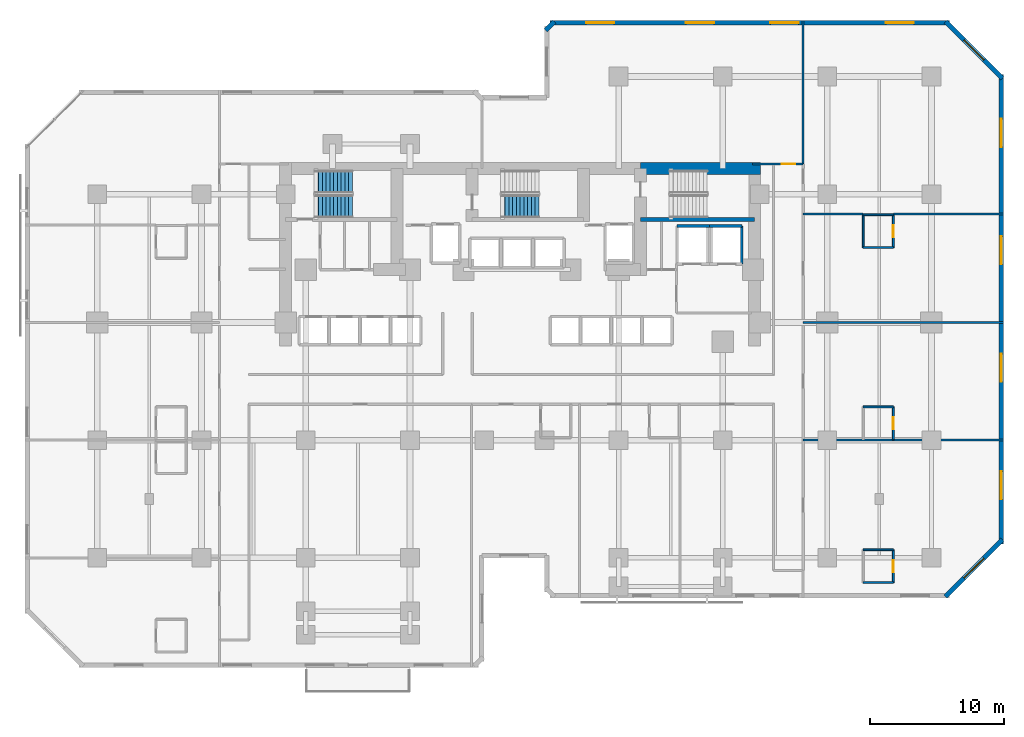
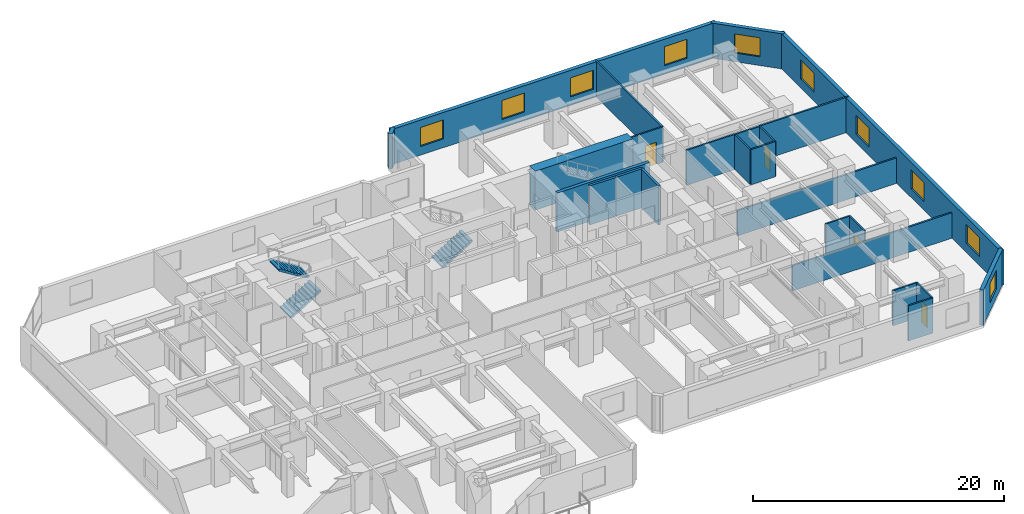
# One storey, part 8 of 11: 25 walls, 10 windows, 4 doors, 3 stair flights, 14 openings, 2 elements without a shape of their own.
"""IFC4 building model written with IfcOpenShell, lengths in metres."""

from ifc_helpers import new_model, si_unit, direction, frame, frame_2d, origin, place, context, subcontext, project, spatial, polyline, rectangle, outline, extrude, material, layer, layer_set, type_object, element, fill, aggregate, save


model = new_model("IFC4")

# Units and contexts
model_context = context("Model", 3, precision=1e-05, world=origin(), true_north=direction((0.0, 1.0)))
body_context = subcontext(model_context, "Body", "Model", "MODEL_VIEW")
ifc_project = project(units=[si_unit("LENGTHUNIT", "METRE"), si_unit("AREAUNIT", "SQUARE_METRE"), si_unit("VOLUMEUNIT", "CUBIC_METRE"), si_unit("PLANEANGLEUNIT", "RADIAN"), si_unit("MASSUNIT", "GRAM", prefix="KILO")], contexts=[model_context])

# Site, building, storey
site_placement = place(None, origin())
site = spatial("IfcSite", under=ifc_project, at=site_placement, CompositionType="ELEMENT")
building_placement = place(site_placement, origin())
building = spatial("IfcBuilding", under=site, at=building_placement, Name="Kestravale Grand Hotel", CompositionType="ELEMENT")
storey_placement = place(building_placement, frame((0.0, 0.0, 71.60009765625)))
storey = spatial("IfcBuildingStorey", under=building, at=storey_placement, Name="L17", CompositionType="ELEMENT", Elevation=71.60009765625)

# Wall
ifc_material_1 = material(Name="Concrete f'c 70 MPa", Category="concrete")
ifc_layer_1 = layer(ifc_material_1, 0.89990234375)
ifc_layer_set_1 = layer_set([ifc_layer_1], Name="EW-CORE-900")
wall_type_1 = type_object("IfcWallType", Name="EW-CORE-900", PredefinedType="SHEAR", material=ifc_layer_set_1)
wall_1_placement = place(storey_placement, frame((48.449951171875, 40.320068359375, 0.0), z_axis=(0.0, 0.0, 1.0), x_axis=(1.0, 0.0, 0.0)))
element("IfcWall", 1, at=wall_1_placement, inside=storey, type_object=wall_type_1, Name="L17 core shear wall N3", PredefinedType="SHEAR", context=body_context, shape_type="SweptSolid", body=[
    extrude(rectangle(XDim=8.969970703125, YDim=0.89990234375, at=frame_2d((4.48486328125, 0.0))), origin(), (0.0, 0.0, 1.0), 3.7998046875),
])

# Wall, opening, window
ifc_material_2 = material(Name="Precast concrete f'c 45 MPa", Category="concrete")
ifc_layer_2 = layer(ifc_material_2, 0.340087890625)
ifc_layer_set_2 = layer_set([ifc_layer_2], Name="EW-PREC-340")
wall_type_2 = type_object("IfcWallType", Name="EW-PREC-340", PredefinedType="SOLIDWALL", material=ifc_layer_set_2)
wall_2_placement = place(storey_placement, frame((71.25146484375, 8.2919921875, 0.0), z_axis=(0.0, 0.0, 1.0), x_axis=(0.707106781187, 0.707106781187, 0.0)))
wall_2 = element("IfcWall", 2, at=wall_2_placement, inside=storey, type_object=wall_type_2, Name="L17 fluted precast facade wall 8", PredefinedType="SOLIDWALL", context=body_context, shape_type="SweptSolid", body=[
    extrude(rectangle(XDim=6.019775390625, YDim=0.340087890625, at=frame_2d((3.009765625, 0.0))), origin(), (0.0, 0.0, 1.0), 3.419921875),
])
opening_1_placement = place(wall_2_placement, frame((1.9599609375, 0.0, 0.85009765625)))
opening_1 = element("IfcOpeningElement", 3, at=opening_1_placement, cuts=wall_2, Name="Opening W-GUEST-2100", PredefinedType="OPENING", context=body_context, shape_type="SweptSolid", body=[
    extrude(rectangle(XDim=2.10009765625, YDim=1.85009765625, at=frame_2d((1.050048828125, 0.925048828125))), frame((0.0, 0.179931640625, 0.0), z_axis=(0.0, -1.0, 0.0), x_axis=(1.0, 0.0, 0.0)), (0.0, 0.0, 1.0), 0.360107421875),
])
ifc_material_3 = material(Name="Insulated low-E double glazing in aluminium frame", Category="aluminium")
window_type = type_object("IfcWindowType", Name="W-GUEST-2100", PartitioningType="DOUBLE_PANEL_VERTICAL", PredefinedType="WINDOW", material=ifc_material_3)
window_1_placement = place(opening_1_placement, origin())
window_1 = element("IfcWindow", 4, at=window_1_placement, inside=storey, type_object=window_type, Name="L17 exterior window 8.1", OverallHeight=1.85009765625, OverallWidth=2.10009765625, PartitioningType="SINGLE_PANEL", PredefinedType="WINDOW", context=body_context, shape_type="SweptSolid", body=[
    extrude(rectangle(XDim=2.10009765625, YDim=1.85009765625, at=frame_2d((1.050048828125, 0.925048828125))), frame((0.0, 0.030029296875, 0.0), z_axis=(0.0, -1.0, 0.0), x_axis=(1.0, 0.0, 0.0)), (0.0, 0.0, 1.0), 0.06005859375),
])
fill(opening_1, window_1)

# Wall, openings, windows
wall_3_placement = place(storey_placement, frame((75.429931640625, 12.22998046875, 0.0), z_axis=(0.0, 0.0, 1.0), x_axis=(0.0, 1.0, 0.0)))
wall_3 = element("IfcWall", 5, at=wall_3_placement, inside=storey, type_object=wall_type_2, Name="L17 fluted precast facade wall 9", PredefinedType="SOLIDWALL", context=body_context, shape_type="SweptSolid", body=[
    extrude(rectangle(XDim=35.14013671875, YDim=0.340087890625, at=frame_2d((17.570068359375, 0.0))), origin(), (0.0, 0.0, 1.0), 3.419921875),
])
opening_2_placement = place(wall_3_placement, frame((3.342529296875, 0.0, 0.85009765625)))
opening_2 = element("IfcOpeningElement", 6, at=opening_2_placement, cuts=wall_3, Name="Opening W-GUEST-2100", PredefinedType="OPENING", context=body_context, shape_type="SweptSolid", body=[
    extrude(rectangle(XDim=2.10009765625, YDim=1.85009765625, at=frame_2d((1.050048828125, 0.925048828125))), frame((0.0, 0.179931640625, 0.0), z_axis=(0.0, -1.0, 0.0), x_axis=(1.0, 0.0, 0.0)), (0.0, 0.0, 1.0), 0.360107421875),
])
opening_3_placement = place(wall_3_placement, frame((12.12744140625, 0.0, 0.85009765625)))
opening_3 = element("IfcOpeningElement", 7, at=opening_3_placement, cuts=wall_3, Name="Opening W-GUEST-2100", PredefinedType="OPENING", context=body_context, shape_type="SweptSolid", body=[
    extrude(rectangle(XDim=2.10009765625, YDim=1.85009765625, at=frame_2d((1.050048828125, 0.925048828125))), frame((0.0, 0.179931640625, 0.0), z_axis=(0.0, -1.0, 0.0), x_axis=(1.0, 0.0, 0.0)), (0.0, 0.0, 1.0), 0.360107421875),
])
opening_4_placement = place(wall_3_placement, frame((20.91259765625, 0.0, 0.85009765625)))
opening_4 = element("IfcOpeningElement", 8, at=opening_4_placement, cuts=wall_3, Name="Opening W-GUEST-2100", PredefinedType="OPENING", context=body_context, shape_type="SweptSolid", body=[
    extrude(rectangle(XDim=2.10009765625, YDim=1.85009765625, at=frame_2d((1.050048828125, 0.925048828125))), frame((0.0, 0.179931640625, 0.0), z_axis=(0.0, -1.0, 0.0), x_axis=(1.0, 0.0, 0.0)), (0.0, 0.0, 1.0), 0.360107421875),
])
opening_5_placement = place(wall_3_placement, frame((29.697509765625, 0.0, 0.85009765625)))
opening_5 = element("IfcOpeningElement", 9, at=opening_5_placement, cuts=wall_3, Name="Opening W-GUEST-2100", PredefinedType="OPENING", context=body_context, shape_type="SweptSolid", body=[
    extrude(rectangle(XDim=2.10009765625, YDim=1.85009765625, at=frame_2d((1.050048828125, 0.925048828125))), frame((0.0, 0.179931640625, 0.0), z_axis=(0.0, -1.0, 0.0), x_axis=(1.0, 0.0, 0.0)), (0.0, 0.0, 1.0), 0.360107421875),
])
window_2_placement = place(opening_2_placement, origin())
window_2 = element("IfcWindow", 10, at=window_2_placement, inside=storey, type_object=window_type, Name="L17 exterior window 9.1", OverallHeight=1.85009765625, OverallWidth=2.10009765625, PartitioningType="SINGLE_PANEL", PredefinedType="WINDOW", context=body_context, shape_type="SweptSolid", body=[
    extrude(rectangle(XDim=2.10009765625, YDim=1.85009765625, at=frame_2d((1.050048828125, 0.925048828125))), frame((0.0, 0.030029296875, 0.0), z_axis=(0.0, -1.0, 0.0), x_axis=(1.0, 0.0, 0.0)), (0.0, 0.0, 1.0), 0.06005859375),
])
fill(opening_2, window_2)
window_3_placement = place(opening_3_placement, origin())
window_3 = element("IfcWindow", 11, at=window_3_placement, inside=storey, type_object=window_type, Name="L17 exterior window 9.2", OverallHeight=1.85009765625, OverallWidth=2.10009765625, PartitioningType="SINGLE_PANEL", PredefinedType="WINDOW", context=body_context, shape_type="SweptSolid", body=[
    extrude(rectangle(XDim=2.10009765625, YDim=1.85009765625, at=frame_2d((1.050048828125, 0.925048828125))), frame((0.0, 0.030029296875, 0.0), z_axis=(0.0, -1.0, 0.0), x_axis=(1.0, 0.0, 0.0)), (0.0, 0.0, 1.0), 0.06005859375),
])
fill(opening_3, window_3)
window_4_placement = place(opening_4_placement, origin())
window_4 = element("IfcWindow", 12, at=window_4_placement, inside=storey, type_object=window_type, Name="L17 exterior window 9.3", OverallHeight=1.85009765625, OverallWidth=2.10009765625, PartitioningType="SINGLE_PANEL", PredefinedType="WINDOW", context=body_context, shape_type="SweptSolid", body=[
    extrude(rectangle(XDim=2.10009765625, YDim=1.85009765625, at=frame_2d((1.050048828125, 0.925048828125))), frame((0.0, 0.030029296875, 0.0), z_axis=(0.0, -1.0, 0.0), x_axis=(1.0, 0.0, 0.0)), (0.0, 0.0, 1.0), 0.06005859375),
])
fill(opening_4, window_4)
window_5_placement = place(opening_5_placement, origin())
window_5 = element("IfcWindow", 13, at=window_5_placement, inside=storey, type_object=window_type, Name="L17 exterior window 9.4", OverallHeight=1.85009765625, OverallWidth=2.10009765625, PartitioningType="SINGLE_PANEL", PredefinedType="WINDOW", context=body_context, shape_type="SweptSolid", body=[
    extrude(rectangle(XDim=2.10009765625, YDim=1.85009765625, at=frame_2d((1.050048828125, 0.925048828125))), frame((0.0, 0.030029296875, 0.0), z_axis=(0.0, -1.0, 0.0), x_axis=(1.0, 0.0, 0.0)), (0.0, 0.0, 1.0), 0.06005859375),
])
fill(opening_5, window_5)

# Wall, opening, window
wall_4_placement = place(storey_placement, frame((75.508056640625, 47.051513671875, 0.0), z_axis=(0.0, 0.0, 1.0), x_axis=(-0.707106781187, 0.707106781187, 0.0)))
wall_4 = element("IfcWall", 14, at=wall_4_placement, inside=storey, type_object=wall_type_2, Name="L17 fluted precast facade wall 10", PredefinedType="SOLIDWALL", context=body_context, shape_type="SweptSolid", body=[
    extrude(rectangle(XDim=6.019775390625, YDim=0.340087890625, at=frame_2d((3.009765625, 0.0))), origin(), (0.0, 0.0, 1.0), 3.419921875),
])
opening_6_placement = place(wall_4_placement, frame((1.9599609375, 0.0, 0.85009765625)))
opening_6 = element("IfcOpeningElement", 15, at=opening_6_placement, cuts=wall_4, Name="Opening W-GUEST-2100", PredefinedType="OPENING", context=body_context, shape_type="SweptSolid", body=[
    extrude(rectangle(XDim=2.10009765625, YDim=1.85009765625, at=frame_2d((1.050048828125, 0.925048828125))), frame((0.0, 0.179931640625, 0.0), z_axis=(0.0, -1.0, 0.0), x_axis=(1.0, 0.0, 0.0)), (0.0, 0.0, 1.0), 0.360107421875),
])
window_6_placement = place(opening_6_placement, origin())
window_6 = element("IfcWindow", 16, at=window_6_placement, inside=storey, type_object=window_type, Name="L17 exterior window 10.1", OverallHeight=1.85009765625, OverallWidth=2.10009765625, PartitioningType="SINGLE_PANEL", PredefinedType="WINDOW", context=body_context, shape_type="SweptSolid", body=[
    extrude(rectangle(XDim=2.10009765625, YDim=1.85009765625, at=frame_2d((1.050048828125, 0.925048828125))), frame((0.0, 0.030029296875, 0.0), z_axis=(0.0, -1.0, 0.0), x_axis=(1.0, 0.0, 0.0)), (0.0, 0.0, 1.0), 0.06005859375),
])
fill(opening_6, window_6)

# Wall, openings, windows
wall_5_placement = place(storey_placement, frame((71.570068359375, 51.22998046875, 0.0), z_axis=(0.0, 0.0, 1.0), x_axis=(-1.0, 0.0, 0.0)))
wall_5 = element("IfcWall", 17, at=wall_5_placement, inside=storey, type_object=wall_type_2, Name="L17 fluted precast facade wall 11", PredefinedType="SOLIDWALL", context=body_context, shape_type="SweptSolid", body=[
    extrude(rectangle(XDim=29.89013671875, YDim=0.340087890625, at=frame_2d((14.945068359375, 0.0))), origin(), (0.0, 0.0, 1.0), 3.419921875),
])
opening_7_placement = place(wall_5_placement, frame((2.686279296875, 0.0, 0.85009765625)))
opening_7 = element("IfcOpeningElement", 18, at=opening_7_placement, cuts=wall_5, Name="Opening W-GUEST-2100", PredefinedType="OPENING", context=body_context, shape_type="SweptSolid", body=[
    extrude(rectangle(XDim=2.10009765625, YDim=1.85009765625, at=frame_2d((1.050048828125, 0.925048828125))), frame((0.0, 0.179931640625, 0.0), z_axis=(0.0, -1.0, 0.0), x_axis=(1.0, 0.0, 0.0)), (0.0, 0.0, 1.0), 0.360107421875),
])
opening_8_placement = place(wall_5_placement, frame((11.30859375, 0.0, 0.85009765625)))
opening_8 = element("IfcOpeningElement", 19, at=opening_8_placement, cuts=wall_5, Name="Opening W-GUEST-2100", PredefinedType="OPENING", context=body_context, shape_type="SweptSolid", body=[
    extrude(rectangle(XDim=2.10009765625, YDim=1.85009765625, at=frame_2d((1.050048828125, 0.925048828125))), frame((0.0, 0.179931640625, 0.0), z_axis=(0.0, -1.0, 0.0), x_axis=(1.0, 0.0, 0.0)), (0.0, 0.0, 1.0), 0.360107421875),
])
opening_9_placement = place(wall_5_placement, frame((17.631103515625, 0.0, 0.85009765625)))
opening_9 = element("IfcOpeningElement", 20, at=opening_9_placement, cuts=wall_5, Name="Opening W-GUEST-2100", PredefinedType="OPENING", context=body_context, shape_type="SweptSolid", body=[
    extrude(rectangle(XDim=2.10009765625, YDim=1.85009765625, at=frame_2d((1.050048828125, 0.925048828125))), frame((0.0, 0.179931640625, 0.0), z_axis=(0.0, -1.0, 0.0), x_axis=(1.0, 0.0, 0.0)), (0.0, 0.0, 1.0), 0.360107421875),
])
opening_10_placement = place(wall_5_placement, frame((25.103759765625, 0.0, 0.85009765625)))
opening_10 = element("IfcOpeningElement", 21, at=opening_10_placement, cuts=wall_5, Name="Opening W-GUEST-2100", PredefinedType="OPENING", context=body_context, shape_type="SweptSolid", body=[
    extrude(rectangle(XDim=2.10009765625, YDim=1.85009765625, at=frame_2d((1.050048828125, 0.925048828125))), frame((0.0, 0.179931640625, 0.0), z_axis=(0.0, -1.0, 0.0), x_axis=(1.0, 0.0, 0.0)), (0.0, 0.0, 1.0), 0.360107421875),
])
window_7_placement = place(opening_7_placement, origin())
window_7 = element("IfcWindow", 22, at=window_7_placement, inside=storey, type_object=window_type, Name="L17 exterior window 11.1", OverallHeight=1.85009765625, OverallWidth=2.10009765625, PartitioningType="SINGLE_PANEL", PredefinedType="WINDOW", context=body_context, shape_type="SweptSolid", body=[
    extrude(rectangle(XDim=2.10009765625, YDim=1.85009765625, at=frame_2d((1.050048828125, 0.925048828125))), frame((0.0, 0.030029296875, 0.0), z_axis=(0.0, -1.0, 0.0), x_axis=(1.0, 0.0, 0.0)), (0.0, 0.0, 1.0), 0.06005859375),
])
fill(opening_7, window_7)
window_8_placement = place(opening_8_placement, origin())
window_8 = element("IfcWindow", 23, at=window_8_placement, inside=storey, type_object=window_type, Name="L17 exterior window 11.2", OverallHeight=1.85009765625, OverallWidth=2.10009765625, PartitioningType="SINGLE_PANEL", PredefinedType="WINDOW", context=body_context, shape_type="SweptSolid", body=[
    extrude(rectangle(XDim=2.10009765625, YDim=1.85009765625, at=frame_2d((1.050048828125, 0.925048828125))), frame((0.0, 0.030029296875, 0.0), z_axis=(0.0, -1.0, 0.0), x_axis=(1.0, 0.0, 0.0)), (0.0, 0.0, 1.0), 0.06005859375),
])
fill(opening_8, window_8)
window_9_placement = place(opening_9_placement, origin())
window_9 = element("IfcWindow", 24, at=window_9_placement, inside=storey, type_object=window_type, Name="L17 exterior window 11.3", OverallHeight=1.85009765625, OverallWidth=2.10009765625, PartitioningType="SINGLE_PANEL", PredefinedType="WINDOW", context=body_context, shape_type="SweptSolid", body=[
    extrude(rectangle(XDim=2.10009765625, YDim=1.85009765625, at=frame_2d((1.050048828125, 0.925048828125))), frame((0.0, 0.030029296875, 0.0), z_axis=(0.0, -1.0, 0.0), x_axis=(1.0, 0.0, 0.0)), (0.0, 0.0, 1.0), 0.06005859375),
])
fill(opening_9, window_9)
window_10_placement = place(opening_10_placement, origin())
window_10 = element("IfcWindow", 25, at=window_10_placement, inside=storey, type_object=window_type, Name="L17 exterior window 11.4", OverallHeight=1.85009765625, OverallWidth=2.10009765625, PartitioningType="SINGLE_PANEL", PredefinedType="WINDOW", context=body_context, shape_type="SweptSolid", body=[
    extrude(rectangle(XDim=2.10009765625, YDim=1.85009765625, at=frame_2d((1.050048828125, 0.925048828125))), frame((0.0, 0.030029296875, 0.0), z_axis=(0.0, -1.0, 0.0), x_axis=(1.0, 0.0, 0.0)), (0.0, 0.0, 1.0), 0.06005859375),
])
fill(opening_10, window_10)

# Walls
wall_6_placement = place(storey_placement, frame((41.99853515625, 51.30810546875, 0.0), z_axis=(0.0, 0.0, 1.0), x_axis=(-0.707238225886, -0.706975312048, 0.0)))
element("IfcWall", 26, at=wall_6_placement, inside=storey, type_object=wall_type_2, Name="L17 fluted precast facade wall 12", PredefinedType="SOLIDWALL", context=body_context, shape_type="SweptSolid", body=[
    extrude(rectangle(XDim=0.9287109375, YDim=0.340087890625, at=frame_2d((0.46435546875, 0.0))), origin(), (0.0, 0.0, 1.0), 3.419921875),
])
ifc_material_4 = material(Name="Concrete f'c 45 MPa", Category="concrete")
ifc_layer_3 = layer(ifc_material_4, 0.300048828125)
ifc_layer_set_3 = layer_set([ifc_layer_3], Name="EW-STAIR-300")
wall_type_3 = type_object("IfcWallType", Name="EW-STAIR-300", PredefinedType="SHEAR", material=ifc_layer_set_3)
wall_7_placement = place(storey_placement, frame((48.449951171875, 36.52001953125, 0.0), z_axis=(0.0, 0.0, 1.0), x_axis=(1.0, 0.0, 0.0)))
element("IfcWall", 27, at=wall_7_placement, inside=storey, type_object=wall_type_3, Name="L17 stair enclosure shear wall SST3", PredefinedType="SHEAR", context=body_context, shape_type="SweptSolid", body=[
    extrude(rectangle(XDim=8.52001953125, YDim=0.300048828125, at=frame_2d((4.260009765625, 0.0))), origin(), (0.0, 0.0, 1.0), 3.7998046875),
])

# Wall, opening, door
ifc_material_5 = material(Name="Moisture-resistant tile-backer plumbing chase wall", Category="other")
ifc_layer_4 = layer(ifc_material_5, 0.139892578125)
ifc_layer_set_4 = layer_set([ifc_layer_4], Name="IW-PLB-140")
wall_type_4 = type_object("IfcWallType", Name="IW-PLB-140", PredefinedType="PLUMBINGWALL", material=ifc_layer_set_4)
wall_8_placement = place(storey_placement, frame((67.35009765625, 9.35009765625, 0.0), z_axis=(0.0, 0.0, 1.0), x_axis=(0.0, 1.0, 0.0)))
wall_8 = element("IfcWall", 28, at=wall_8_placement, inside=storey, type_object=wall_type_4, Name="W-L17-U07-BE", PredefinedType="PLUMBINGWALL", context=body_context, shape_type="SweptSolid", body=[
    extrude(rectangle(XDim=2.449951171875, YDim=0.139892578125, at=frame_2d((1.22509765625, 0.0))), origin(), (0.0, 0.0, 1.0), 3.419921875),
])
opening_11_placement = place(wall_8_placement, frame((0.784912109375, 0.0, 0.0)))
opening_11 = element("IfcOpeningElement", 29, at=opening_11_placement, cuts=wall_8, Name="Opening D-BATH-880", PredefinedType="OPENING", context=body_context, shape_type="SweptSolid", body=[
    extrude(rectangle(XDim=0.8798828125, YDim=2.050048828125, at=frame_2d((0.43994140625, 1.02490234375))), frame((0.0, 0.079833984375, 0.0), z_axis=(0.0, -1.0, 0.0), x_axis=(1.0, 0.0, 0.0)), (0.0, 0.0, 1.0), 0.159912109375),
])
ifc_material_6 = material(Name="Moisture-sealed walnut en-suite bathroom door", Category="wood")
door_type_1 = type_object("IfcDoorType", Name="D-BATH-880", OperationType="NOTDEFINED", PredefinedType="DOOR", material=ifc_material_6)
door_1_placement = place(opening_11_placement, origin())
door_1 = element("IfcDoor", 30, at=door_1_placement, inside=storey, type_object=door_type_1, Name="D-L17-U07-BATH", OperationType="SINGLE_SWING_RIGHT", OverallHeight=2.050048828125, OverallWidth=0.8798828125, PredefinedType="DOOR", context=body_context, shape_type="SweptSolid", body=[
    extrude(rectangle(XDim=0.8798828125, YDim=2.050048828125, at=frame_2d((0.43994140625, 1.02490234375))), frame((0.0, 0.02490234375, 0.0), z_axis=(0.0, -1.0, 0.0), x_axis=(1.0, 0.0, 0.0)), (0.0, 0.0, 1.0), 0.050048828125),
])
fill(opening_11, door_1)

# Walls
for number, where, z_axis, x_axis, name in (
    (31, (65.10009765625, 9.35009765625, 0.0), (0.0, 0.0, 1.0), (1.0, 0.0, 0.0), "W-L17-U07-BS"),
    (32, (65.10009765625, 11.800048828125, 0.0), (0.0, 0.0, 1.0), (1.0, 0.0, 0.0), "W-L17-U07-BN"),
):
    element("IfcWall", number, at=place(storey_placement, frame(where, z_axis=z_axis, x_axis=x_axis)), inside=storey, type_object=wall_type_4, Name=name, PredefinedType="PLUMBINGWALL", context=body_context, shape_type="SweptSolid", body=[
        extrude(rectangle(XDim=2.25, YDim=0.139892578125, at=frame_2d((1.125, 0.0))), origin(), (0.0, 0.0, 1.0), 3.419921875),
    ])

# Wall, opening, door
wall_9_placement = place(storey_placement, frame((67.35009765625, 20.0400390625, 0.0), z_axis=(0.0, 0.0, 1.0), x_axis=(0.0, 1.0, 0.0)))
wall_9 = element("IfcWall", 33, at=wall_9_placement, inside=storey, type_object=wall_type_4, Name="W-L17-U08-BE", PredefinedType="PLUMBINGWALL", context=body_context, shape_type="SweptSolid", body=[
    extrude(rectangle(XDim=2.449951171875, YDim=0.139892578125, at=frame_2d((1.22509765625, 0.0))), origin(), (0.0, 0.0, 1.0), 3.419921875),
])
opening_12_placement = place(wall_9_placement, frame((0.784912109375, 0.0, 0.0)))
opening_12 = element("IfcOpeningElement", 34, at=opening_12_placement, cuts=wall_9, Name="Opening D-BATH-880", PredefinedType="OPENING", context=body_context, shape_type="SweptSolid", body=[
    extrude(rectangle(XDim=0.8798828125, YDim=2.050048828125, at=frame_2d((0.43994140625, 1.02490234375))), frame((0.0, 0.079833984375, 0.0), z_axis=(0.0, -1.0, 0.0), x_axis=(1.0, 0.0, 0.0)), (0.0, 0.0, 1.0), 0.159912109375),
])
door_2_placement = place(opening_12_placement, origin())
door_2 = element("IfcDoor", 35, at=door_2_placement, inside=storey, type_object=door_type_1, Name="D-L17-U08-BATH", OperationType="SINGLE_SWING_RIGHT", OverallHeight=2.050048828125, OverallWidth=0.8798828125, PredefinedType="DOOR", context=body_context, shape_type="SweptSolid", body=[
    extrude(rectangle(XDim=0.8798828125, YDim=2.050048828125, at=frame_2d((0.43994140625, 1.02490234375))), frame((0.0, 0.02490234375, 0.0), z_axis=(0.0, -1.0, 0.0), x_axis=(1.0, 0.0, 0.0)), (0.0, 0.0, 1.0), 0.050048828125),
])
fill(opening_12, door_2)

# Walls
wall_10_placement = place(storey_placement, frame((65.10009765625, 22.489990234375, 0.0), z_axis=(0.0, 0.0, 1.0), x_axis=(1.0, 0.0, 0.0)))
element("IfcWall", 36, at=wall_10_placement, inside=storey, type_object=wall_type_4, Name="W-L17-U08-BN", PredefinedType="PLUMBINGWALL", context=body_context, shape_type="SweptSolid", body=[
    extrude(rectangle(XDim=2.25, YDim=0.139892578125, at=frame_2d((1.125, 0.0))), origin(), (0.0, 0.0, 1.0), 3.419921875),
])
wall_11_placement = place(storey_placement, frame((65.10009765625, 34.409912109375, 0.0), z_axis=(0.0, 0.0, 1.0), x_axis=(0.0, 1.0, 0.0)))
element("IfcWall", 37, at=wall_11_placement, inside=storey, type_object=wall_type_4, Name="W-L17-U09-BW", PredefinedType="PLUMBINGWALL", context=body_context, shape_type="SweptSolid", body=[
    extrude(rectangle(XDim=2.4501953125, YDim=0.139892578125, at=frame_2d((1.22509765625, 0.0))), origin(), (0.0, 0.0, 1.0), 3.419921875),
])

# Wall, opening, door
wall_12_placement = place(storey_placement, frame((67.35009765625, 34.409912109375, 0.0), z_axis=(0.0, 0.0, 1.0), x_axis=(0.0, 1.0, 0.0)))
wall_12 = element("IfcWall", 38, at=wall_12_placement, inside=storey, type_object=wall_type_4, Name="W-L17-U09-BE", PredefinedType="PLUMBINGWALL", context=body_context, shape_type="SweptSolid", body=[
    extrude(rectangle(XDim=2.4501953125, YDim=0.139892578125, at=frame_2d((1.22509765625, 0.0))), origin(), (0.0, 0.0, 1.0), 3.419921875),
])
opening_13_placement = place(wall_12_placement, frame((0.784912109375, 0.0, 0.0)))
opening_13 = element("IfcOpeningElement", 39, at=opening_13_placement, cuts=wall_12, Name="Opening D-BATH-880", PredefinedType="OPENING", context=body_context, shape_type="SweptSolid", body=[
    extrude(rectangle(XDim=0.8798828125, YDim=2.050048828125, at=frame_2d((0.43994140625, 1.02490234375))), frame((0.0, 0.079833984375, 0.0), z_axis=(0.0, -1.0, 0.0), x_axis=(1.0, 0.0, 0.0)), (0.0, 0.0, 1.0), 0.159912109375),
])
door_3_placement = place(opening_13_placement, origin())
door_3 = element("IfcDoor", 40, at=door_3_placement, inside=storey, type_object=door_type_1, Name="D-L17-U09-BATH", OperationType="SINGLE_SWING_RIGHT", OverallHeight=2.050048828125, OverallWidth=0.8798828125, PredefinedType="DOOR", context=body_context, shape_type="SweptSolid", body=[
    extrude(rectangle(XDim=0.8798828125, YDim=2.050048828125, at=frame_2d((0.43994140625, 1.02490234375))), frame((0.0, 0.02490234375, 0.0), z_axis=(0.0, -1.0, 0.0), x_axis=(1.0, 0.0, 0.0)), (0.0, 0.0, 1.0), 0.050048828125),
])
fill(opening_13, door_3)

# Walls
for number, where, z_axis, x_axis, name in (
    (41, (65.10009765625, 34.409912109375, 0.0), (0.0, 0.0, 1.0), (1.0, 0.0, 0.0), "W-L17-U09-BS"),
    (42, (65.10009765625, 36.860107421875, 0.0), (0.0, 0.0, 1.0), (1.0, 0.0, 0.0), "W-L17-U09-BN"),
):
    element("IfcWall", number, at=place(storey_placement, frame(where, z_axis=z_axis, x_axis=x_axis)), inside=storey, type_object=wall_type_4, Name=name, PredefinedType="PLUMBINGWALL", context=body_context, shape_type="SweptSolid", body=[
        extrude(rectangle(XDim=2.25, YDim=0.139892578125, at=frame_2d((1.125, 0.0))), origin(), (0.0, 0.0, 1.0), 3.419921875),
    ])
ifc_material_7 = material(Name="Concrete f'c 45 MPa", Category="concrete")
ifc_layer_5 = layer(ifc_material_7, 0.199951171875)
ifc_layer_set_5 = layer_set([ifc_layer_5], Name="IW-SHAFT-200")
wall_type_5 = type_object("IfcWallType", Name="IW-SHAFT-200", PredefinedType="SHEAR", material=ifc_layer_set_5)
wall_13_placement = place(storey_placement, frame((56.02001953125, 33.169921875, 0.0), z_axis=(0.0, 0.0, 1.0), x_axis=(0.0, 1.0, 0.0)))
element("IfcWall", 43, at=wall_13_placement, inside=storey, type_object=wall_type_5, Name="L17 SL-2 east shaft wall", PredefinedType="SHEAR", context=body_context, shape_type="SweptSolid", body=[
    extrude(rectangle(XDim=2.860107421875, YDim=0.199951171875, at=frame_2d((1.43017578125, 0.0))), origin(), (0.0, 0.0, 1.0), 3.7998046875),
])
ifc_material_8 = material(Name="Concrete f'c 45 MPa", Category="concrete")
ifc_layer_6 = layer(ifc_material_8, 0.219970703125)
ifc_layer_set_6 = layer_set([ifc_layer_6], Name="IW-SHAFT-220")
wall_type_6 = type_object("IfcWallType", Name="IW-SHAFT-220", PredefinedType="SHEAR", material=ifc_layer_set_6)
wall_14_placement = place(storey_placement, frame((51.179931640625, 36.030029296875, 0.0), z_axis=(0.0, 0.0, 1.0), x_axis=(1.0, 0.0, 0.0)))
element("IfcWall", 44, at=wall_14_placement, inside=storey, type_object=wall_type_6, Name="L17 SL-1 north shaft wall", PredefinedType="SHEAR", context=body_context, shape_type="SweptSolid", body=[
    extrude(rectangle(XDim=2.420166015625, YDim=0.219970703125, at=frame_2d((1.2099609375, 0.0))), origin(), (0.0, 0.0, 1.0), 3.7998046875),
])
wall_15_placement = place(storey_placement, frame((53.60009765625, 36.030029296875, 0.0), z_axis=(0.0, 0.0, 1.0), x_axis=(1.0, 0.0, 0.0)))
element("IfcWall", 45, at=wall_15_placement, inside=storey, type_object=wall_type_6, Name="L17 SL-2 north shaft wall", PredefinedType="SHEAR", context=body_context, shape_type="SweptSolid", body=[
    extrude(rectangle(XDim=2.419921875, YDim=0.219970703125, at=frame_2d((1.2099609375, 0.0))), origin(), (0.0, 0.0, 1.0), 3.7998046875),
])

# Wall, opening, door
ifc_material_9 = material(Name="Double-stud STC 52 acoustic demising partition", Category="other")
ifc_layer_7 = layer(ifc_material_9, 0.14990234375)
ifc_layer_set_7 = layer_set([ifc_layer_7], Name="IW-UNIT-150")
wall_type_7 = type_object("IfcWallType", Name="IW-UNIT-150", PredefinedType="PARTITIONING", material=ifc_layer_set_7)
wall_16_placement = place(storey_placement, frame((56.800048828125, 40.64990234375, 0.0), z_axis=(0.0, 0.0, 1.0), x_axis=(1.0, 0.0, 0.0)))
wall_16 = element("IfcWall", 46, at=wall_16_placement, inside=storey, type_object=wall_type_7, Name="W-L17-SE-N", PredefinedType="PARTITIONING", context=body_context, shape_type="SweptSolid", body=[
    extrude(rectangle(XDim=3.81005859375, YDim=0.14990234375, at=frame_2d((1.905029296875, 0.0))), origin(), (0.0, 0.0, 1.0), 3.419921875),
])
opening_14_placement = place(wall_16_placement, frame((2.199951171875, 0.0, 0.0)))
opening_14 = element("IfcOpeningElement", 47, at=opening_14_placement, cuts=wall_16, Name="Opening D-GUEST-1000", PredefinedType="OPENING", context=body_context, shape_type="SweptSolid", body=[
    extrude(rectangle(XDim=1.0, YDim=2.14990234375, at=frame_2d((0.5, 1.074951171875))), frame((0.0, 0.0849609375, 0.0), z_axis=(0.0, -1.0, 0.0), x_axis=(1.0, 0.0, 0.0)), (0.0, 0.0, 1.0), 0.169921875),
])
ifc_material_10 = material(Name="Accessible walnut veneer hotel entrance fire door", Category="wood")
door_type_2 = type_object("IfcDoorType", Name="D-GUEST-1000", OperationType="NOTDEFINED", PredefinedType="DOOR", material=ifc_material_10)
door_4_placement = place(opening_14_placement, origin())
door_4 = element("IfcDoor", 48, at=door_4_placement, inside=storey, type_object=door_type_2, Name="L17 NE Gallery Door", OperationType="SINGLE_SWING_LEFT", OverallHeight=2.14990234375, OverallWidth=1.0, PredefinedType="DOOR", context=body_context, shape_type="SweptSolid", body=[
    extrude(rectangle(XDim=1.0, YDim=2.14990234375, at=frame_2d((0.5, 1.074951171875))), frame((0.0, 0.02490234375, 0.0), z_axis=(0.0, -1.0, 0.0), x_axis=(1.0, 0.0, 0.0)), (0.0, 0.0, 1.0), 0.050048828125),
])
fill(opening_14, door_4)

# Walls
wall_17_placement = place(storey_placement, frame((60.610107421875, 40.64990234375, 0.0), z_axis=(0.0, 0.0, 1.0), x_axis=(0.0, 1.0, 0.0)))
element("IfcWall", 49, at=wall_17_placement, inside=storey, type_object=wall_type_7, Name="W-L17-NGE-E", PredefinedType="PARTITIONING", context=body_context, shape_type="SweptSolid", body=[
    extrude(rectangle(XDim=10.72998046875, YDim=0.14990234375, at=frame_2d((5.364990234375, 0.0))), origin(), (0.0, 0.0, 1.0), 3.419921875),
])
for number, where, z_axis, x_axis, name in (
    (50, (60.610107421875, 20.0, 0.0), (0.0, 0.0, 1.0), (1.0, 0.0, 0.0), "W-L17-EW-1"),
    (51, (60.610107421875, 28.800048828125, 0.0), (0.0, 0.0, 1.0), (1.0, 0.0, 0.0), "W-L17-EW-2"),
):
    element("IfcWall", number, at=place(storey_placement, frame(where, z_axis=z_axis, x_axis=x_axis)), inside=storey, type_object=wall_type_7, Name=name, PredefinedType="PARTITIONING", context=body_context, shape_type="SweptSolid", body=[
        extrude(rectangle(XDim=14.969970703125, YDim=0.14990234375, at=frame_2d((7.48486328125, 0.0))), origin(), (0.0, 0.0, 1.0), 2.472900390625),
    ])
wall_18_placement = place(storey_placement, frame((60.610107421875, 36.89990234375, 0.0), z_axis=(0.0, 0.0, 1.0), x_axis=(1.0, 0.0, 0.0)))
element("IfcWall", 52, at=wall_18_placement, inside=storey, type_object=wall_type_7, Name="W-L17-EW-3", PredefinedType="PARTITIONING", context=body_context, shape_type="SweptSolid", body=[
    extrude(rectangle(XDim=4.489990234375, YDim=0.14990234375, at=frame_2d((2.2451171875, 0.0))), origin(), (0.0, 0.0, 1.0), 3.419921875),
])
wall_19_placement = place(storey_placement, frame((67.35009765625, 36.89990234375, 0.0), z_axis=(0.0, 0.0, 1.0), x_axis=(1.0, 0.0, 0.0)))
element("IfcWall", 53, at=wall_19_placement, inside=storey, type_object=wall_type_7, Name="W-L17-EW-3", PredefinedType="PARTITIONING", context=body_context, shape_type="SweptSolid", body=[
    extrude(rectangle(XDim=8.22998046875, YDim=0.14990234375, at=frame_2d((4.114990234375, 0.0))), origin(), (0.0, 0.0, 1.0), 3.419921875),
])

# Stair, stair flights
ifc_material_11 = material(Name="Concrete f'c 45 MPa", Category="concrete")
stair_type = type_object("IfcStairType", Name="ST-CORE-380", PredefinedType="HALF_TURN_STAIR", material=ifc_material_11)
stair_1_placement = place(storey_placement, origin())
stair_1 = element("IfcStair", 54, at=stair_1_placement, inside=storey, type_object=stair_type, Name="L17 ST-1", PredefinedType="HALF_TURN_STAIR")
ifc_material_12 = material(Name="Concrete f'c 45 MPa", Category="concrete")
stair_flight_type = type_object("IfcStairFlightType", Name="STF-CORE-380", PredefinedType="STRAIGHT", material=ifc_material_12)
stair_flight_1_placement = place(storey_placement, frame((24.080078125, 37.489990234375, 0.0), z_axis=(0.0, 0.0, 1.0), x_axis=(1.0, 0.0, 0.0)))
stair_flight_1 = element("IfcStairFlight", 55, at=stair_flight_1_placement, type_object=stair_flight_type, Name="ST-1 flight 1", NumberOfRisers=11, NumberOfTreads=10, PredefinedType="STRAIGHT", RiserHeight=0.172727273, TreadLength=0.28, context=body_context, shape_type="SweptSolid", body=[
    extrude(outline(polyline([(0.0, 0.0), (0.0, 0.172607421875), (0.280029296875, 0.172607421875), (0.280029296875, 0.345458984375), (0.56005859375, 0.345458984375), (0.56005859375, 0.51806640625), (0.840087890625, 0.51806640625), (0.840087890625, 0.69091796875), (1.1201171875, 0.69091796875), (1.1201171875, 0.863525390625), (1.39990234375, 0.863525390625), (1.39990234375, 1.036376953125), (1.679931640625, 1.036376953125), (1.679931640625, 1.208984375), (1.9599609375, 1.208984375), (1.9599609375, 1.3818359375), (2.239990234375, 1.3818359375), (2.239990234375, 1.554443359375), (2.52001953125, 1.554443359375), (2.52001953125, 1.727294921875), (2.800048828125, 1.727294921875), (2.800048828125, 1.89990234375), (2.800048828125, 1.551025390625), (0.285400390625, 0.0), (0.0, 0.0)])), frame((0.0, 0.83984375, 0.0), z_axis=(0.0, -1.0, 0.0), x_axis=(1.0, 0.0, 0.0)), (0.0, 0.0, 1.0), 1.679931640625),
])
stair_flight_2_placement = place(storey_placement, frame((26.8798828125, 39.320068359375, 1.89990234375), z_axis=(0.0, 0.0, 1.0), x_axis=(-1.0, 0.0, 0.0)))
stair_flight_2 = element("IfcStairFlight", 56, at=stair_flight_2_placement, type_object=stair_flight_type, Name="ST-1 flight 2", NumberOfRisers=11, NumberOfTreads=10, PredefinedType="STRAIGHT", RiserHeight=0.172727273, TreadLength=0.28, context=body_context, shape_type="SweptSolid", body=[
    extrude(outline(polyline([(0.0, 0.0), (0.0, 0.172607421875), (0.280029296875, 0.172607421875), (0.280029296875, 0.345458984375), (0.56005859375, 0.345458984375), (0.56005859375, 0.51806640625), (0.840087890625, 0.51806640625), (0.840087890625, 0.69091796875), (1.1201171875, 0.69091796875), (1.1201171875, 0.863525390625), (1.39990234375, 0.863525390625), (1.39990234375, 1.036376953125), (1.679931640625, 1.036376953125), (1.679931640625, 1.208984375), (1.9599609375, 1.208984375), (1.9599609375, 1.3818359375), (2.239990234375, 1.3818359375), (2.239990234375, 1.554443359375), (2.52001953125, 1.554443359375), (2.52001953125, 1.727294921875), (2.800048828125, 1.727294921875), (2.800048828125, 1.89990234375), (2.800048828125, 1.551025390625), (0.285400390625, 0.0), (0.0, 0.0)])), frame((0.0, 0.83984375, 0.0), z_axis=(0.0, -1.0, 0.0), x_axis=(1.0, 0.0, 0.0)), (0.0, 0.0, 1.0), 1.679931640625),
])
aggregate(stair_1, [stair_flight_1, stair_flight_2])

# Stair, stair flight
stair_2_placement = place(storey_placement, origin())
stair_2 = element("IfcStair", 57, at=stair_2_placement, inside=storey, type_object=stair_type, Name="L17 ST-2", PredefinedType="HALF_TURN_STAIR")
stair_flight_3_placement = place(storey_placement, frame((38.030029296875, 37.489990234375, 0.0), z_axis=(0.0, 0.0, 1.0), x_axis=(1.0, 0.0, 0.0)))
stair_flight_3 = element("IfcStairFlight", 58, at=stair_flight_3_placement, type_object=stair_flight_type, Name="ST-2 flight 1", NumberOfRisers=11, NumberOfTreads=10, PredefinedType="STRAIGHT", RiserHeight=0.172727273, TreadLength=0.28, context=body_context, shape_type="SweptSolid", body=[
    extrude(outline(polyline([(0.0, 0.0), (0.0, 0.172607421875), (0.280029296875, 0.172607421875), (0.280029296875, 0.345458984375), (0.56005859375, 0.345458984375), (0.56005859375, 0.51806640625), (0.840087890625, 0.51806640625), (0.840087890625, 0.69091796875), (1.1201171875, 0.69091796875), (1.1201171875, 0.863525390625), (1.39990234375, 0.863525390625), (1.39990234375, 1.036376953125), (1.679931640625, 1.036376953125), (1.679931640625, 1.208984375), (1.9599609375, 1.208984375), (1.9599609375, 1.3818359375), (2.239990234375, 1.3818359375), (2.239990234375, 1.554443359375), (2.52001953125, 1.554443359375), (2.52001953125, 1.727294921875), (2.800048828125, 1.727294921875), (2.800048828125, 1.89990234375), (2.800048828125, 1.551025390625), (0.285400390625, 0.0), (0.0, 0.0)])), frame((0.0, 0.83984375, 0.0), z_axis=(0.0, -1.0, 0.0), x_axis=(1.0, 0.0, 0.0)), (0.0, 0.0, 1.0), 1.679931640625),
])
aggregate(stair_2, [stair_flight_3])

save(model, "model.ifc")
